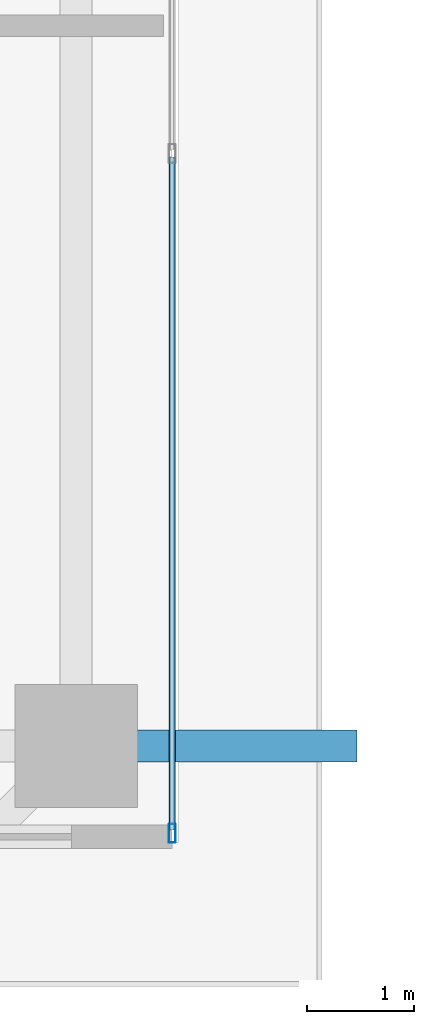
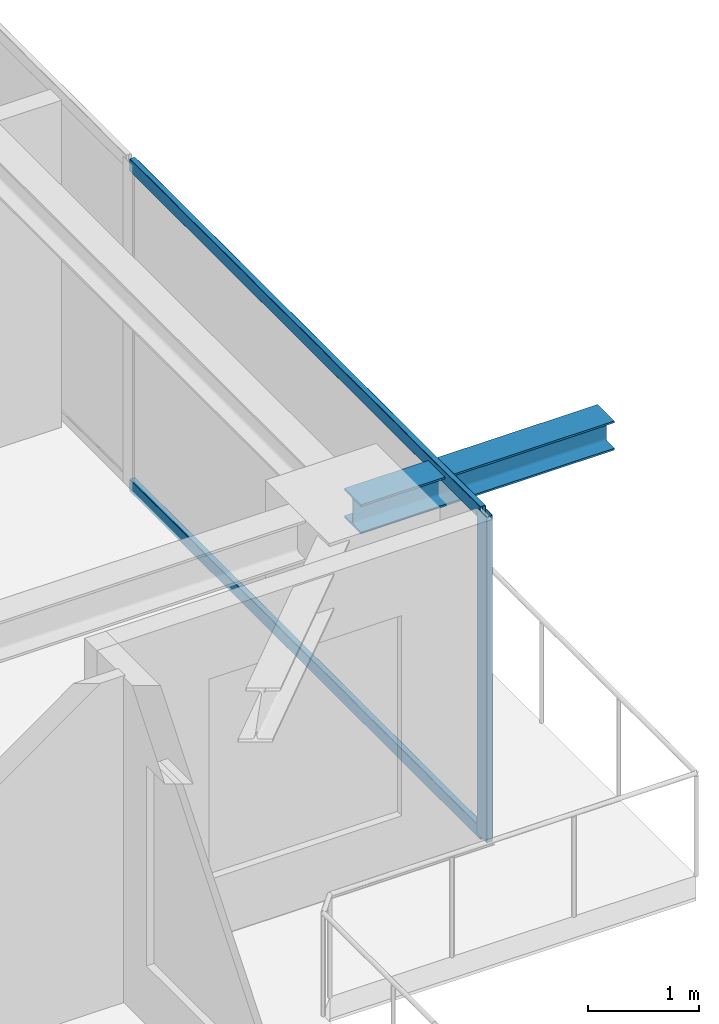
# One storey, part 13 of 38: 3 members, 1 beam, 1 element without a shape of its own.
"""IFC4 building model written with IfcOpenShell, lengths in metres."""

import ifcopenshell
import ifcopenshell.guid

model = None  # the IFC model being written
_history = None  # IfcOwnerHistory: only IFC2X3 demands one
_inside = {}  # id of a spatial element -> (the spatial element, [elements in it])
_under = {}  # id of a project, library or spatial element -> (it, [spatial elements below it])
_declared = {}  # id of a project -> (the project, [libraries it declares])
_typed = {}  # id of a type object -> (the type object, [elements of that type])
_made_of = {}  # id of a material, layer set ... -> (it, [elements and type objects made of it])


def new_model(schema):
    """Start an empty IFC model of exactly this schema.

    Asked for "IFC4X3", IfcOpenShell would pick the latest addendum, in which some entities
    have other attributes; the version numbers below select the first issue.
    IFC2X3 requires an IfcOwnerHistory on every rooted entity: one is made here for all.
    """
    global model, _history
    if schema == "IFC4X3":
        model = ifcopenshell.file(schema_version=(4, 3, 0, 0))
    else:
        model = ifcopenshell.file(schema=schema)
    _inside.clear()
    _under.clear()
    _declared.clear()
    _typed.clear()
    _made_of.clear()
    _history = None
    if model.schema == "IFC2X3":
        org = make("IfcOrganization", Name="unknown")
        user = make(
            "IfcPersonAndOrganization",
            ThePerson=make("IfcPerson", FamilyName="unknown"),
            TheOrganization=org,
        )
        app = make(
            "IfcApplication",
            ApplicationDeveloper=org,
            Version="unknown",
            ApplicationFullName="unknown",
            ApplicationIdentifier="unknown",
        )
        _history = make(
            "IfcOwnerHistory",
            OwningUser=user,
            OwningApplication=app,
            ChangeAction="ADDED",
            CreationDate=0,
        )
    return model


def make(cls, **values):
    """One entity of the class cls with the attributes given. An attribute that is None is left unset."""
    return model.create_entity(
        cls, **{name: value for name, value in values.items() if value is not None}
    )


def rooted(cls, **values):
    """An entity with a GlobalId (a new one), such as an element, a storey or a relation."""
    return make(cls, GlobalId=ifcopenshell.guid.new(), OwnerHistory=_history, **values)


def si_unit(unit_type, name, prefix=None):
    """IfcSIUnit, for example si_unit("LENGTHUNIT", "METRE", prefix="MILLI")."""
    return make("IfcSIUnit", UnitType=unit_type, Prefix=prefix, Name=name)


def assignment(units):
    """IfcUnitAssignment: the units of a project."""
    return None if units is None else make("IfcUnitAssignment", Units=units)


def point(xyz):
    """IfcCartesianPoint."""
    return None if xyz is None else make("IfcCartesianPoint", Coordinates=xyz)


def direction(xyz):
    """IfcDirection."""
    return None if xyz is None else make("IfcDirection", DirectionRatios=xyz)


def frame(location, z_axis=None, x_axis=None):
    """IfcAxis2Placement3D, a coordinate frame: its origin and axes. An axis left out is left unset."""
    return make(
        "IfcAxis2Placement3D",
        Location=point(location),
        Axis=direction(z_axis),
        RefDirection=direction(x_axis),
    )


def frame_2d(location, x_axis=None):
    """IfcAxis2Placement2D, a coordinate frame in the plane: its origin and x axis."""
    return make(
        "IfcAxis2Placement2D", Location=point(location), RefDirection=direction(x_axis)
    )


def origin():
    """The frame at (0, 0, 0) with its axes left unset."""
    return frame((0.0, 0.0, 0.0))


def origin_2d():
    """The frame at (0, 0) in the plane with its x axis left unset."""
    return frame_2d((0.0, 0.0))


def place(relative_to, where):
    """IfcLocalPlacement: puts the frame where relative to a parent placement (None: the world)."""
    return make(
        "IfcLocalPlacement", PlacementRelTo=relative_to, RelativePlacement=where
    )


def context(
    kind, dimensions, precision=None, world=None, true_north=None, identifier=None
):
    """IfcGeometricRepresentationContext, for example the 3D "Model" context."""
    return make(
        "IfcGeometricRepresentationContext",
        ContextIdentifier=identifier,
        ContextType=kind,
        CoordinateSpaceDimension=dimensions,
        Precision=precision,
        WorldCoordinateSystem=world,
        TrueNorth=true_north,
    )


def subcontext(parent, identifier, kind, view, scale=None):
    """IfcGeometricRepresentationSubContext, for example "Body" below "Model"."""
    return make(
        "IfcGeometricRepresentationSubContext",
        ContextIdentifier=identifier,
        ContextType=kind,
        ParentContext=parent,
        TargetScale=scale,
        TargetView=view,
    )


def project(units=None, contexts=None):
    """IfcProject with its units and contexts."""
    return rooted(
        "IfcProject",
        Name="project",
        RepresentationContexts=contexts,
        UnitsInContext=assignment(units),
    )


def spatial(cls, under=None, at=None, **own):
    """A site, building, storey or space (cls), placed at a placement, below another one or the project."""
    s = rooted(cls, ObjectPlacement=at, **own)
    if under is not None:
        _under.setdefault(under.id(), (under, []))[1].append(s)
    return s


def profile(cls, at=None, kind="AREA", **sizes):
    """A parametric profile (cls). Its sizes go by their IFC names, for example OverallWidth=200.0."""
    return make(cls, ProfileType=kind, Position=at, **sizes)


def hollow_rectangle(**sizes):
    """IfcRectangleHollowProfileDef."""
    return profile("IfcRectangleHollowProfileDef", **sizes)


def i_section(**sizes):
    """IfcIShapeProfileDef."""
    return profile("IfcIShapeProfileDef", **sizes)


def extrude(swept, where, along, depth):
    """IfcExtrudedAreaSolid: the profile swept, set in the frame where, extruded along a direction by depth."""
    return make(
        "IfcExtrudedAreaSolid",
        SweptArea=swept,
        Position=where,
        ExtrudedDirection=direction(along),
        Depth=depth,
    )


def shape(context_of_items, identifier, shape_type, items):
    """IfcShapeRepresentation: the items that make up one representation, for example the "Body"."""
    return make(
        "IfcShapeRepresentation",
        ContextOfItems=context_of_items,
        RepresentationIdentifier=identifier,
        RepresentationType=shape_type,
        Items=items,
    )


def source(mapping_origin, context_of_items, identifier, shape_type, items):
    """IfcRepresentationMap: a shape defined once, which mapped items show again and again."""
    return make(
        "IfcRepresentationMap",
        MappingOrigin=mapping_origin,
        MappedRepresentation=shape(context_of_items, identifier, shape_type, items),
    )


def transform(
    local_origin,
    x_axis=None,
    y_axis=None,
    z_axis=None,
    scale=None,
    scale2=None,
    scale3=None,
    uniform=True,
):
    """IfcCartesianTransformationOperator3D, or its non-uniform kind. x_axis, y_axis, z_axis: its Axis1, 2, 3."""
    if uniform:
        return make(
            "IfcCartesianTransformationOperator3D",
            Axis1=direction(x_axis),
            Axis2=direction(y_axis),
            LocalOrigin=point(local_origin),
            Scale=scale,
            Axis3=direction(z_axis),
        )
    return make(
        "IfcCartesianTransformationOperator3DnonUniform",
        Axis1=direction(x_axis),
        Axis2=direction(y_axis),
        LocalOrigin=point(local_origin),
        Scale=scale,
        Axis3=direction(z_axis),
        Scale2=scale2,
        Scale3=scale3,
    )


def mapped(mapping_source, mapping_target):
    """IfcMappedItem: shows the shape of a source again, moved by a transform."""
    return make(
        "IfcMappedItem", MappingSource=mapping_source, MappingTarget=mapping_target
    )


def material(Name=None, Category=None):
    """IfcMaterial."""
    return make("IfcMaterial", Name=Name, Category=Category)


def layer(
    of_material, thickness, ventilated=None, Name=None, Category=None, Priority=None
):
    """IfcMaterialLayer: one layer of a wall or slab, of a material (None: an air gap)."""
    return make(
        "IfcMaterialLayer",
        Material=of_material,
        LayerThickness=thickness,
        IsVentilated=ventilated,
        Name=Name,
        Category=Category,
        Priority=Priority,
    )


def layer_set(layers, Name=None):
    """IfcMaterialLayerSet."""
    return make("IfcMaterialLayerSet", MaterialLayers=layers, LayerSetName=Name)


def material_profile(
    of_material, cross_section, Name=None, Category=None, Priority=None
):
    """IfcMaterialProfile: a cross section and its material."""
    return make(
        "IfcMaterialProfile",
        Name=Name,
        Material=of_material,
        Profile=cross_section,
        Priority=Priority,
        Category=Category,
    )


def profile_set(profiles, Name=None, composite=None):
    """IfcMaterialProfileSet."""
    return make(
        "IfcMaterialProfileSet",
        Name=Name,
        MaterialProfiles=profiles,
        CompositeProfile=composite,
    )


def made_of(thing, what):
    """Note that an element or type object is made of a material, layer set ...; save() writes the relation."""
    if what is not None:
        _made_of.setdefault(what.id(), (what, []))[1].append(thing)
    return thing


def type_object(cls, material=None, **own):
    """A type object (cls), such as IfcWallType, which elements share."""
    return made_of(rooted(cls, **own), material)


def element(
    cls,
    number,
    at=None,
    inside=None,
    cuts=None,
    type_object=None,
    material=None,
    context=None,
    identifier="Body",
    shape_type=None,
    held_by="IfcProductDefinitionShape",
    body=None,
    shapes=None,
    **own,
):
    """One element of the class cls, such as IfcWall. Its Tag is "e" and its number.

    at: its placement. inside: the storey or other place that contains it. cuts: it is an
    opening in that element (IfcRelVoidsElement). A single representation is given by context,
    identifier, shape_type and body (its items); several are given by shapes. held_by: the class
    of the entity that holds the representations. save() writes the other relations.
    """
    e = rooted(cls, Tag="e%d" % number, ObjectPlacement=at, **own)
    if body is not None:
        shapes = [shape(context, identifier, shape_type, body)]
    if shapes is not None:
        e.Representation = make(held_by, Representations=shapes)
    if inside is not None:
        _inside.setdefault(inside.id(), (inside, []))[1].append(e)
    if cuts is not None:
        rooted(
            "IfcRelVoidsElement", RelatingBuildingElement=cuts, RelatedOpeningElement=e
        )
    if type_object is not None:
        _typed.setdefault(type_object.id(), (type_object, []))[1].append(e)
    return made_of(e, material)


def aggregate(whole, parts):
    """IfcRelAggregates: a whole, such as a stair, and the parts it consists of."""
    return rooted("IfcRelAggregates", RelatingObject=whole, RelatedObjects=parts)


def save(model, path):
    """Write the relations noted so far, then the file.

    IfcRelAggregates (storeys below a building ...), IfcRelContainedInSpatialStructure (elements
    in a storey), IfcRelDefinesByType, IfcRelAssociatesMaterial and IfcRelDeclares: one each for
    every whole, place, type object, material and project.
    """
    for whole, parts in _under.values():
        aggregate(whole, parts)
    for where, things in _inside.values():
        rooted(
            "IfcRelContainedInSpatialStructure",
            RelatedElements=things,
            RelatingStructure=where,
        )
    for kind, things in _typed.values():
        rooted("IfcRelDefinesByType", RelatedObjects=things, RelatingType=kind)
    for what, things in _made_of.values():
        rooted("IfcRelAssociatesMaterial", RelatedObjects=things, RelatingMaterial=what)
    for by, libraries in _declared.values():
        rooted("IfcRelDeclares", RelatingContext=by, RelatedDefinitions=libraries)
    model.write(path)


model = new_model("IFC4")

# Units and contexts
model_context = context("Model", 3, precision=1e-05, world=origin(), true_north=direction((0.0, 1.0)))
body_context = subcontext(model_context, "Body", "Model", "MODEL_VIEW")
ifc_project = project(units=[si_unit("LENGTHUNIT", "METRE"), si_unit("AREAUNIT", "SQUARE_METRE"), si_unit("VOLUMEUNIT", "CUBIC_METRE"), si_unit("PLANEANGLEUNIT", "RADIAN"), si_unit("MASSUNIT", "GRAM", prefix="KILO")], contexts=[model_context])

# Site, building, storey
site_placement = place(None, origin())
site = spatial("IfcSite", under=ifc_project, at=site_placement, CompositionType="ELEMENT")
building_placement = place(site_placement, origin())
building = spatial("IfcBuilding", under=site, at=building_placement, Name="Serunith Strait Residences", CompositionType="ELEMENT")
storey_placement = place(building_placement, frame((0.0, 0.0, 241.25)))
storey = spatial("IfcBuildingStorey", under=building, at=storey_placement, Name="L60", CompositionType="ELEMENT", Elevation=241.25)

# Beam
ifc_material_1 = material(Name="Steel S355J2", Category="steel")
ifc_material_profile_1 = material_profile(ifc_material_1, i_section(OverallWidth=0.300048828125, OverallDepth=0.320068359375, WebThickness=0.011474609375, FlangeThickness=0.0205078125, FilletRadius=0.027099609375, at=origin_2d()), Name="HEB 320")
ifc_profile_set_1 = profile_set([ifc_material_profile_1], Name="Steel S355J2")
beam_type = type_object("IfcBeamType", Name="BM-HEB320", PredefinedType="BEAM", material=ifc_profile_set_1)
shared_shape_1 = source(origin(), body_context, "Body", "SweptSolid", [
    extrude(i_section(OverallWidth=0.300048828125, OverallDepth=0.320068359375, WebThickness=0.011474609375, FlangeThickness=0.0205078125, FilletRadius=0.027099609375, at=origin_2d()), origin(), (0.0, 0.0, 1.0), 2.630615234375),
])
beam_placement = place(storey_placement, frame((56.5, 10.050048828125, 3.39697265625), z_axis=(1.0, 0.0, 0.0), x_axis=(0.0, 1.0, 0.0)))
element("IfcBeam", 1, at=beam_placement, inside=storey, type_object=beam_type, Name="L61 Cantilevered Balcony Rib TC-E1", PredefinedType="BEAM", context=body_context, shape_type="MappedRepresentation", body=[
    mapped(shared_shape_1, transform((0.0, 0.0, 0.0), scale=1.0)),
])

# Curtain wall, members
ifc_material_2 = material(Name="Pale-Champagne Anodised Aluminium", Category="aluminium")
ifc_layer = layer(ifc_material_2, 0.199951171875, Name="Pale-Champagne Anodised Aluminium")
ifc_layer_set = layer_set([ifc_layer], Name="Pale-Champagne Anodised Aluminium")
curtain_wall_type = type_object("IfcCurtainWallType", Name="CW-SYS4", PredefinedType="NOTDEFINED", material=ifc_layer_set)
curtain_wall_placement = place(storey_placement, origin())
curtain_wall = element("IfcCurtainWall", 2, at=curtain_wall_placement, inside=storey, type_object=curtain_wall_type, Name="L60 E Unitised Fritted Curtain Wall", PredefinedType="NOTDEFINED")
ifc_material_profile_2 = material_profile(ifc_material_2, hollow_rectangle(XDim=0.06494140625, YDim=0.179931640625, WallThickness=0.00341796875, InnerFilletRadius=0.00537109375, OuterFilletRadius=0.0087890625, at=origin_2d()), Name="ALU 180x65x3.5")
ifc_profile_set_2 = profile_set([ifc_material_profile_2], Name="Pale-Champagne Anodised Aluminium")
member_type_1 = type_object("IfcMemberType", Name="CW-SYS4-MULL", PredefinedType="MULLION", material=ifc_profile_set_2)
shared_shape_2 = source(origin(), body_context, "Body", "SweptSolid", [
    extrude(hollow_rectangle(XDim=0.06494140625, YDim=0.179931640625, WallThickness=0.00341796875, InnerFilletRadius=0.00537109375, OuterFilletRadius=0.0087890625, at=origin_2d()), origin(), (0.0, 0.0, 1.0), 3.574951171875),
])
member_1_placement = place(storey_placement, frame((57.39990234375, 9.232421875, 0.0), z_axis=(0.0, 0.0, 1.0), x_axis=(-1.0, 0.0, 0.0)))
member_1 = element("IfcMember", 3, at=member_1_placement, type_object=member_type_1, Name="CW-4 mullion 1", PredefinedType="MULLION", context=body_context, shape_type="MappedRepresentation", body=[
    mapped(shared_shape_2, transform((0.0, 0.0, 0.0), scale=1.0)),
])
ifc_material_profile_3 = material_profile(ifc_material_2, hollow_rectangle(XDim=0.06005859375, YDim=0.139892578125, WallThickness=0.00341796875, InnerFilletRadius=0.00537109375, OuterFilletRadius=0.0087890625, at=origin_2d()), Name="ALU 140x60x3.5")
ifc_profile_set_3 = profile_set([ifc_material_profile_3], Name="Pale-Champagne Anodised Aluminium")
member_type_2 = type_object("IfcMemberType", Name="CW-SYS4-TRAN", PredefinedType="USERDEFINED", material=ifc_profile_set_3)
shared_shape_3 = source(origin(), body_context, "Body", "SweptSolid", [
    extrude(hollow_rectangle(XDim=0.06005859375, YDim=0.139892578125, WallThickness=0.00341796875, InnerFilletRadius=0.00537109375, OuterFilletRadius=0.0087890625, at=origin_2d()), origin(), (0.0, 0.0, 1.0), 6.302490234375),
])
member_2_placement = place(storey_placement, frame((57.39990234375, 9.264892578125, 0.030029296875), z_axis=(0.0, 1.0, 0.0), x_axis=(-1.0, 0.0, 0.0)))
member_2 = element("IfcMember", 4, at=member_2_placement, type_object=member_type_2, Name="CW-4 transom 1.1", ObjectType="TRANSOM", PredefinedType="USERDEFINED", context=body_context, shape_type="MappedRepresentation", body=[
    mapped(shared_shape_3, transform((0.0, 0.0, 0.0), scale=1.0)),
])
member_3_placement = place(storey_placement, frame((57.39990234375, 9.264892578125, 3.544921875), z_axis=(0.0, 1.0, 0.0), x_axis=(-1.0, 0.0, 0.0)))
member_3 = element("IfcMember", 5, at=member_3_placement, type_object=member_type_2, Name="CW-4 transom 1.2", ObjectType="TRANSOM", PredefinedType="USERDEFINED", context=body_context, shape_type="MappedRepresentation", body=[
    mapped(shared_shape_3, transform((0.0, 0.0, 0.0), scale=1.0)),
])
aggregate(curtain_wall, [member_1, member_2, member_3])

save(model, "model.ifc")
